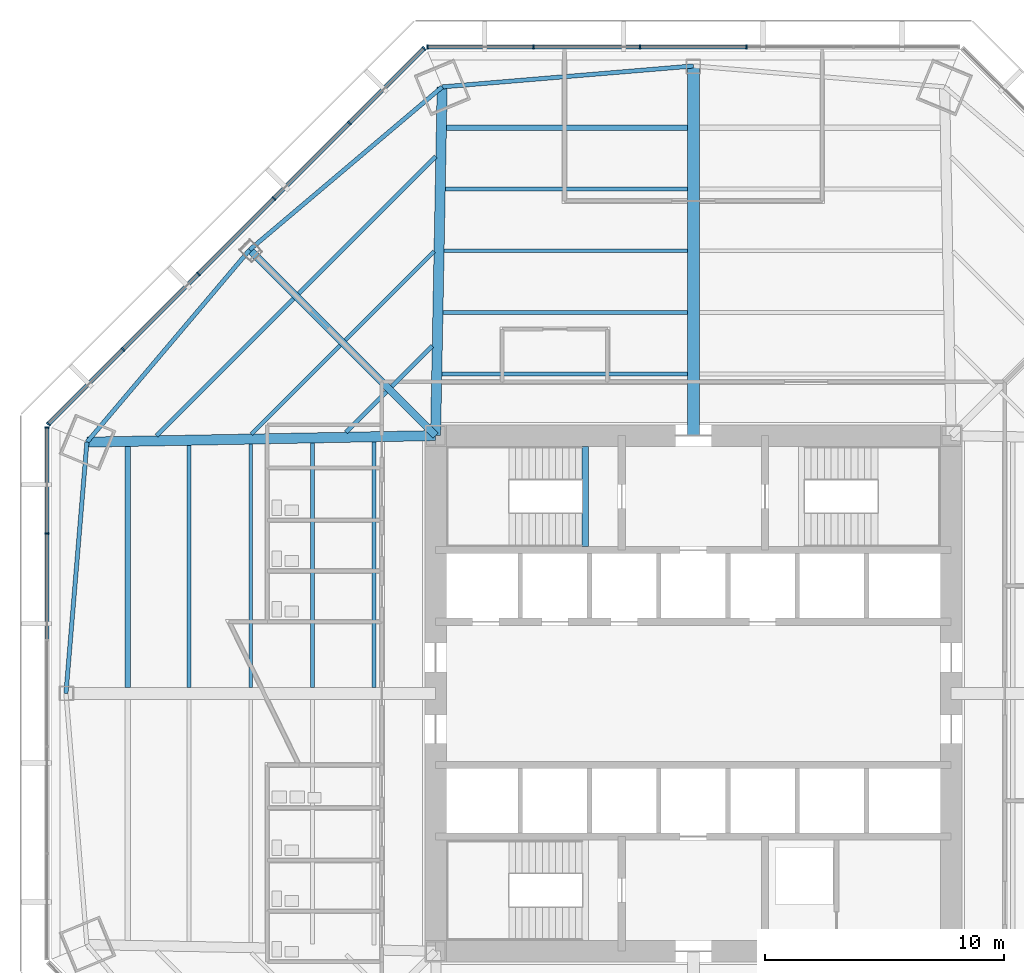
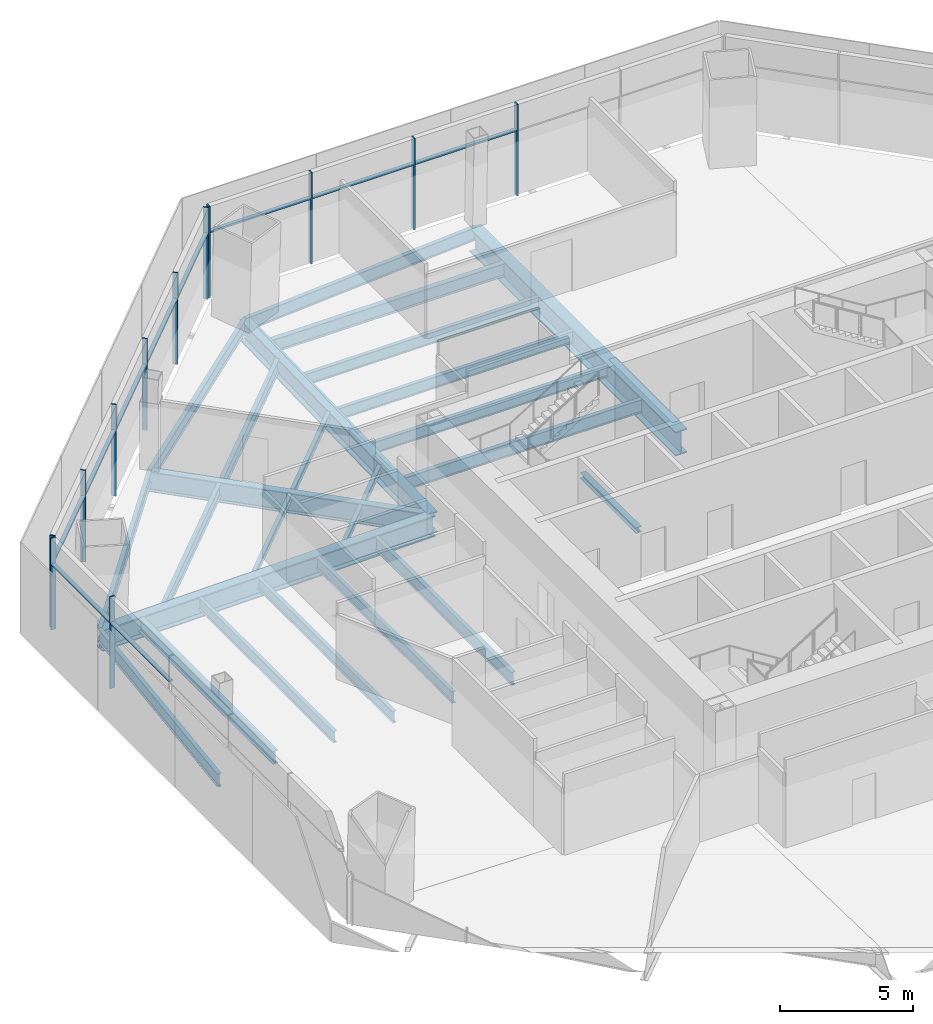
# One storey, part 5 of 14: 25 beams, 22 members, 3 elements without a shape of their own.
"""IFC4 building model written with IfcOpenShell, lengths in metres."""

from ifc_helpers import new_model, si_unit, direction, frame, origin, origin_2d, place, context, subcontext, project, spatial, rectangle, i_section, extrude, source, transform, mapped, material, material_profile, profile_set, type_object, type_shapes, element, aggregate, save


model = new_model("IFC4")

# Units and contexts
model_context = context("Model", 3, precision=1e-05, world=origin(), true_north=direction((0.0, 1.0)))
body_context = subcontext(model_context, "Body", "Model", "MODEL_VIEW")
ifc_project = project(units=[si_unit("LENGTHUNIT", "METRE"), si_unit("AREAUNIT", "SQUARE_METRE"), si_unit("VOLUMEUNIT", "CUBIC_METRE"), si_unit("PLANEANGLEUNIT", "RADIAN"), si_unit("MASSUNIT", "GRAM", prefix="KILO")], contexts=[model_context])

# Site, building, storey
site_placement = place(None, origin())
site = spatial("IfcSite", under=ifc_project, at=site_placement, CompositionType="ELEMENT")
building_placement = place(site_placement, origin())
building = spatial("IfcBuilding", under=site, at=building_placement, Name="Mashrafa Tower", CompositionType="ELEMENT")
storey_placement = place(building_placement, frame((0.0, 0.0, 33.0)))
storey = spatial("IfcBuildingStorey", under=building, at=storey_placement, Name="L06", CompositionType="ELEMENT", Elevation=33.0)

# Beams
ifc_material_1 = material(Name="Steel ASTM A572 Gr 50", Category="steel")
ifc_material_profile_1 = material_profile(ifc_material_1, i_section(OverallWidth=0.5, OverallDepth=1.10009765625, WebThickness=0.02490234375, FlangeThickness=0.050048828125, at=origin_2d()), Name="H1100X500X25X50")
ifc_profile_set_1 = profile_set([ifc_material_profile_1], Name="Steel ASTM A572 Gr 50")
beam_type_1 = type_object("IfcBeamType", Name="Beam H1100X500X25X50", PredefinedType="BEAM", material=ifc_profile_set_1)
beam_1_placement = place(storey_placement, frame((0.0, 10.800048828125, -0.715087890625), z_axis=(0.0, 1.0, 0.0), x_axis=(-1.0, 0.0, 0.0)))
element("IfcBeam", 1, at=beam_1_placement, inside=storey, type_object=beam_type_1, Name="Radial girder L06 073", PredefinedType="BEAM", context=body_context, shape_type="SweptSolid", body=[
    extrude(i_section(OverallWidth=0.5, OverallDepth=1.10009765625, WebThickness=0.02490234375, FlangeThickness=0.050048828125, at=origin_2d()), origin(), (0.0, 0.0, 1.0), 15.48583984375),
])
ifc_material_2 = material(Name="Steel ASTM A992", Category="steel")
ifc_material_profile_2 = material_profile(ifc_material_2, i_section(OverallWidth=0.164794921875, OverallDepth=0.309814453125, WebThickness=0.005859375, FlangeThickness=0.009765625, FilletRadius=0.007568359375, at=origin_2d()), Name="W12X26")
ifc_profile_set_2 = profile_set([ifc_material_profile_2], Name="Steel ASTM A992")
beam_type_2 = type_object("IfcBeamType", Name="Beam W12X26", PredefinedType="BEAM", material=ifc_profile_set_2)
beam_2_placement = place(storey_placement, frame((-18.5205078125, 10.8662109375, -0.31982421875), z_axis=(0.707083567294, 0.707129994317, 0.0), x_axis=(-0.707129994317, 0.707083567294, 0.0)))
element("IfcBeam", 2, at=beam_2_placement, inside=storey, type_object=beam_type_2, Name="Floor beam L06 006", PredefinedType="BEAM", context=body_context, shape_type="SweptSolid", body=[
    extrude(i_section(OverallWidth=0.164794921875, OverallDepth=0.309814453125, WebThickness=0.005859375, FlangeThickness=0.009765625, FilletRadius=0.007568359375, at=origin_2d()), origin(), (0.0, 0.0, 1.0), 5.258544921875),
])
beam_3_placement = place(storey_placement, frame((-14.55224609375, 10.94140625, -0.31982421875), z_axis=(0.707157654008, 0.707055904705, 0.0), x_axis=(-0.707055904705, 0.707157654008, 0.0)))
element("IfcBeam", 3, at=beam_3_placement, inside=storey, type_object=beam_type_2, Name="Floor beam L06 013", PredefinedType="BEAM", context=body_context, shape_type="SweptSolid", body=[
    extrude(i_section(OverallWidth=0.164794921875, OverallDepth=0.309814453125, WebThickness=0.005859375, FlangeThickness=0.009765625, FilletRadius=0.007568359375, at=origin_2d()), origin(), (0.0, 0.0, 1.0), 2.3994140625),
])
beam_4_placement = place(storey_placement, frame((-14.584716796875, 14.80224609375, -0.31982421875), z_axis=(0.707129994317, 0.707083567294, 0.0), x_axis=(-0.707083567294, 0.707129994317, 0.0)))
element("IfcBeam", 4, at=beam_4_placement, inside=storey, type_object=beam_type_2, Name="Floor beam L06 015", PredefinedType="BEAM", context=body_context, shape_type="SweptSolid", body=[
    extrude(i_section(OverallWidth=0.164794921875, OverallDepth=0.309814453125, WebThickness=0.005859375, FlangeThickness=0.009765625, FilletRadius=0.007568359375, at=origin_2d()), origin(), (0.0, 0.0, 1.0), 5.258544921875),
])
beam_5_placement = place(storey_placement, frame((-12.637939453125, 12.85546875, -0.31982421875), z_axis=(0.707055904705, 0.707157654008, 0.0), x_axis=(-0.707157654008, 0.707055904705, 0.0)))
element("IfcBeam", 5, at=beam_5_placement, inside=storey, type_object=beam_type_2, Name="Floor beam L06 019", PredefinedType="BEAM", context=body_context, shape_type="SweptSolid", body=[
    extrude(i_section(OverallWidth=0.164794921875, OverallDepth=0.309814453125, WebThickness=0.005859375, FlangeThickness=0.009765625, FilletRadius=0.007568359375, at=origin_2d()), origin(), (0.0, 0.0, 1.0), 2.3994140625),
])
ifc_material_3 = material(Name="Steel ASTM A992", Category="steel")
ifc_material_profile_3 = material_profile(ifc_material_3, i_section(OverallWidth=0.165771484375, OverallDepth=0.5283203125, WebThickness=0.009765625, FlangeThickness=0.013671875, FilletRadius=0.012939453125, at=origin_2d()), Name="W21X50")
ifc_profile_set_3 = profile_set([ifc_material_profile_3], Name="Steel ASTM A992")
beam_type_3 = type_object("IfcBeamType", Name="Beam W21X50", PredefinedType="BEAM", material=ifc_profile_set_3)
beam_6_placement = place(storey_placement, frame((-21.123779296875, 0.25, -0.42919921875), z_axis=(0.0, 1.0, 0.0), x_axis=(-1.0, 0.0, 0.0)))
element("IfcBeam", 6, at=beam_6_placement, inside=storey, type_object=beam_type_3, Name="Floor beam L06 005", PredefinedType="BEAM", context=body_context, shape_type="SweptSolid", body=[
    extrude(i_section(OverallWidth=0.165771484375, OverallDepth=0.5283203125, WebThickness=0.009765625, FlangeThickness=0.013671875, FilletRadius=0.012939453125, at=origin_2d()), origin(), (0.0, 0.0, 1.0), 10.14306640625),
])
beam_7_placement = place(storey_placement, frame((-18.54296875, 0.25, -0.42919921875), z_axis=(0.0, 1.0, 0.0), x_axis=(-1.0, 0.0, 0.0)))
element("IfcBeam", 7, at=beam_7_placement, inside=storey, type_object=beam_type_3, Name="Floor beam L06 008", PredefinedType="BEAM", context=body_context, shape_type="SweptSolid", body=[
    extrude(i_section(OverallWidth=0.165771484375, OverallDepth=0.5283203125, WebThickness=0.009765625, FlangeThickness=0.013671875, FilletRadius=0.012939453125, at=origin_2d()), origin(), (0.0, 0.0, 1.0), 10.191650390625),
])
for number, where, z_axis, x_axis, name in (
    (8, (-15.9619140625, 0.25, -0.42919921875), (0.0, 1.0, 0.0), (-1.0, 0.0, 0.0), "Floor beam L06 012"),
    (9, (-10.490478515625, 15.9619140625, -0.42919921875), (1.0, 0.0, 0.0), (0.0, 1.0, 0.0), "Floor beam L06 022"),
):
    element("IfcBeam", number, at=place(storey_placement, frame(where, z_axis=z_axis, x_axis=x_axis)), inside=storey, type_object=beam_type_3, Name=name, PredefinedType="BEAM", context=body_context, shape_type="SweptSolid", body=[
        extrude(i_section(OverallWidth=0.165771484375, OverallDepth=0.5283203125, WebThickness=0.009765625, FlangeThickness=0.013671875, FilletRadius=0.012939453125, at=origin_2d()), origin(), (0.0, 0.0, 1.0), 10.240478515625),
    ])
beam_8_placement = place(storey_placement, frame((-10.441650390625, 18.54296875, -0.42919921875), z_axis=(1.0, 0.0, 0.0), x_axis=(0.0, 1.0, 0.0)))
element("IfcBeam", 10, at=beam_8_placement, inside=storey, type_object=beam_type_3, Name="Floor beam L06 023", PredefinedType="BEAM", context=body_context, shape_type="SweptSolid", body=[
    extrude(i_section(OverallWidth=0.165771484375, OverallDepth=0.5283203125, WebThickness=0.009765625, FlangeThickness=0.013671875, FilletRadius=0.012939453125, at=origin_2d()), origin(), (0.0, 0.0, 1.0), 10.191650390625),
])
beam_9_placement = place(storey_placement, frame((-10.39306640625, 21.123779296875, -0.42919921875), z_axis=(1.0, 0.0, 0.0), x_axis=(0.0, 1.0, 0.0)))
element("IfcBeam", 11, at=beam_9_placement, inside=storey, type_object=beam_type_3, Name="Floor beam L06 025", PredefinedType="BEAM", context=body_context, shape_type="SweptSolid", body=[
    extrude(i_section(OverallWidth=0.165771484375, OverallDepth=0.5283203125, WebThickness=0.009765625, FlangeThickness=0.013671875, FilletRadius=0.012939453125, at=origin_2d()), origin(), (0.0, 0.0, 1.0), 10.14306640625),
])
ifc_material_4 = material(Name="Steel ASTM A992", Category="steel")
ifc_material_profile_4 = material_profile(ifc_material_4, i_section(OverallWidth=0.177978515625, OverallDepth=0.599365234375, WebThickness=0.010009765625, FlangeThickness=0.012939453125, FilletRadius=0.012939453125, at=origin_2d()), Name="W24X55")
ifc_profile_set_4 = profile_set([ifc_material_profile_4], Name="Steel ASTM A992")
beam_type_4 = type_object("IfcBeamType", Name="Beam W24X55", PredefinedType="BEAM", material=ifc_profile_set_4)
for number, where, z_axis, x_axis, name in (
    (12, (-22.489013671875, 10.79150390625, -0.464599609375), (0.707121818493, 0.70709174356, 0.0), (-0.70709174356, 0.707121818493, 0.0), "Floor beam L06 003"),
    (13, (-16.531494140625, 16.748779296875, -0.464599609375), (0.70709174356, 0.707121818493, 0.0), (-0.707121818493, 0.70709174356, 0.0), "Floor beam L06 010"),
):
    element("IfcBeam", number, at=place(storey_placement, frame(where, z_axis=z_axis, x_axis=x_axis)), inside=storey, type_object=beam_type_4, Name=name, PredefinedType="BEAM", context=body_context, shape_type="SweptSolid", body=[
        extrude(i_section(OverallWidth=0.177978515625, OverallDepth=0.599365234375, WebThickness=0.010009765625, FlangeThickness=0.012939453125, FilletRadius=0.012939453125, at=origin_2d()), origin(), (0.0, 0.0, 1.0), 8.11767578125),
    ])
for number, where, z_axis, x_axis, name in (
    (14, (-13.381103515625, 0.25, -0.464599609375), (0.0, 1.0, 0.0), (-1.0, 0.0, 0.0), "Floor beam L06 017"),
    (15, (-10.539306640625, 13.381103515625, -0.464599609375), (1.0, 0.0, 0.0), (0.0, 1.0, 0.0), "Floor beam L06 020"),
):
    element("IfcBeam", number, at=place(storey_placement, frame(where, z_axis=z_axis, x_axis=x_axis)), inside=storey, type_object=beam_type_4, Name=name, PredefinedType="BEAM", context=body_context, shape_type="SweptSolid", body=[
        extrude(i_section(OverallWidth=0.177978515625, OverallDepth=0.599365234375, WebThickness=0.010009765625, FlangeThickness=0.012939453125, FilletRadius=0.012939453125, at=origin_2d()), origin(), (0.0, 0.0, 1.0), 10.289306640625),
    ])
for number, where, z_axis, x_axis, name in (
    (16, (-25.40771484375, 10.524169921875, -0.464599609375), (-0.083154531343, -0.996536664613, 0.0), (0.996536664613, -0.083154531343, 0.0), "Spandrel beam L06 083"),
    (17, (-18.5869140625, 18.5869140625, -0.464599609375), (-0.645858296916, -0.763457307454, 0.0), (0.763457307454, -0.645858296916, 0.0), "Spandrel beam L06 085"),
    (18, (-10.524169921875, 25.40771484375, -0.464599609375), (-0.763457307454, -0.645858296916, 0.0), (0.645858296916, -0.763457307454, 0.0), "Spandrel beam L06 087"),
    (19, (0.0, 26.285888671875, -0.464599609375), (-0.996536664613, -0.083154531343, 0.0), (0.083154531343, -0.996536664613, 0.0), "Spandrel beam L06 089"),
):
    element("IfcBeam", number, at=place(storey_placement, frame(where, z_axis=z_axis, x_axis=x_axis)), inside=storey, type_object=beam_type_4, Name=name, PredefinedType="BEAM", context=body_context, shape_type="SweptSolid", body=[
        extrude(i_section(OverallWidth=0.177978515625, OverallDepth=0.599365234375, WebThickness=0.010009765625, FlangeThickness=0.012939453125, FilletRadius=0.012939453125, at=origin_2d()), origin(), (0.0, 0.0, 1.0), 10.560791015625),
    ])
ifc_material_5 = material(Name="Steel ASTM A992", Category="steel")
ifc_material_profile_5 = material_profile(ifc_material_5, i_section(OverallWidth=0.227783203125, OverallDepth=0.60205078125, WebThickness=0.010498046875, FlangeThickness=0.014892578125, FilletRadius=0.012939453125, at=origin_2d()), Name="W24X68")
ifc_profile_set_5 = profile_set([ifc_material_profile_5], Name="Steel ASTM A992")
beam_type_5 = type_object("IfcBeamType", Name="Beam W24X68", PredefinedType="BEAM", material=ifc_profile_set_5)
for number, where, z_axis, x_axis, name in (
    (20, (-23.704833984375, 0.25, -0.466064453125), (0.0, 1.0, 0.0), (-1.0, 0.0, 0.0), "Floor beam L06 002"),
    (21, (-10.34423828125, 23.704833984375, -0.466064453125), (1.0, 0.0, 0.0), (0.0, 1.0, 0.0), "Floor beam L06 027"),
):
    element("IfcBeam", number, at=place(storey_placement, frame(where, z_axis=z_axis, x_axis=x_axis)), inside=storey, type_object=beam_type_5, Name=name, PredefinedType="BEAM", context=body_context, shape_type="SweptSolid", body=[
        extrude(i_section(OverallWidth=0.227783203125, OverallDepth=0.60205078125, WebThickness=0.010498046875, FlangeThickness=0.014892578125, FilletRadius=0.012939453125, at=origin_2d()), origin(), (0.0, 0.0, 1.0), 10.09423828125),
    ])
ifc_material_6 = material(Name="Steel ASTM A992", Category="steel")
ifc_material_profile_6 = material_profile(ifc_material_6, i_section(OverallWidth=0.307373046875, OverallDepth=0.927001953125, WebThickness=0.01953125, FlangeThickness=0.031982421875, FilletRadius=0.01904296875, at=origin_2d()), Name="W36X194")
ifc_profile_set_6 = profile_set([ifc_material_profile_6], Name="Steel ASTM A992")
beam_type_6 = type_object("IfcBeamType", Name="Beam W36X194", PredefinedType="BEAM", material=ifc_profile_set_6)
beam_10_placement = place(storey_placement, frame((-10.800048828125, 10.800048828125, -0.628662109375), z_axis=(-0.707106781187, 0.707106781187, 0.0), x_axis=(-0.707106781187, -0.707106781187, 0.0)))
element("IfcBeam", 22, at=beam_10_placement, inside=storey, type_object=beam_type_6, Name="Radial girder L06 070", PredefinedType="BEAM", context=body_context, shape_type="SweptSolid", body=[
    extrude(i_section(OverallWidth=0.307373046875, OverallDepth=0.927001953125, WebThickness=0.01953125, FlangeThickness=0.031982421875, FilletRadius=0.01904296875, at=origin_2d()), origin(), (0.0, 0.0, 1.0), 11.01220703125),
])
ifc_material_7 = material(Name="Steel ASTM A992", Category="steel")
ifc_material_profile_7 = material_profile(ifc_material_7, i_section(OverallWidth=0.424072265625, OverallDepth=0.960205078125, WebThickness=0.028564453125, FlangeThickness=0.051025390625, FilletRadius=0.02001953125, at=origin_2d()), Name="W36X361")
ifc_profile_set_7 = profile_set([ifc_material_profile_7], Name="Steel ASTM A992")
beam_type_7 = type_object("IfcBeamType", Name="Beam W36X361", PredefinedType="BEAM", material=ifc_profile_set_7)
for number, where, z_axis, x_axis, name in (
    (23, (-10.800048828125, 10.800048828125, -0.64501953125), (-0.999821709101, -0.018882531902, 0.0), (0.018882531902, -0.999821709101, 0.0), "Radial girder L06 069"),
    (24, (-10.800048828125, 10.800048828125, -0.64501953125), (0.018882531902, 0.999821709101, 0.0), (-0.999821709101, 0.018882531902, 0.0), "Radial girder L06 071"),
):
    element("IfcBeam", number, at=place(storey_placement, frame(where, z_axis=z_axis, x_axis=x_axis)), inside=storey, type_object=beam_type_7, Name=name, PredefinedType="BEAM", context=body_context, shape_type="SweptSolid", body=[
        extrude(i_section(OverallWidth=0.424072265625, OverallDepth=0.960205078125, WebThickness=0.028564453125, FlangeThickness=0.051025390625, FilletRadius=0.02001953125, at=origin_2d()), origin(), (0.0, 0.0, 1.0), 14.6103515625),
    ])
ifc_material_8 = material(Name="Steel ASTM A992", Category="steel")
ifc_material_profile_8 = material_profile(ifc_material_8, i_section(OverallWidth=0.25390625, OverallDepth=0.25390625, WebThickness=0.008544921875, FlangeThickness=0.01416015625, FilletRadius=0.010009765625, at=origin_2d()), Name="W10X49")
ifc_profile_set_8 = profile_set([ifc_material_profile_8], Name="Steel ASTM A992")
beam_type_8 = type_object("IfcBeamType", Name="Hoistway beam W10X49", PredefinedType="BEAM", material=ifc_profile_set_8)
beam_11_placement = place(storey_placement, frame((-4.530029296875, 6.14990234375, -0.326904296875), z_axis=(0.0, 1.0, 0.0), x_axis=(-1.0, 0.0, 0.0)))
element("IfcBeam", 25, at=beam_11_placement, inside=storey, type_object=beam_type_8, Name="Stair S1 landing beam L06", PredefinedType="BEAM", context=body_context, shape_type="SweptSolid", body=[
    extrude(i_section(OverallWidth=0.25390625, OverallDepth=0.25390625, WebThickness=0.008544921875, FlangeThickness=0.01416015625, FilletRadius=0.010009765625, at=origin_2d()), origin(), (0.0, 0.0, 1.0), 4.2001953125),
])

# Curtain wall, members
ifc_material_9 = material(Name="Unitised aluminium curtain wall", Category="aluminium")
curtain_wall_type = type_object("IfcCurtainWallType", Name="Office curtain wall, zone 1 CW-A 200 deep", PredefinedType="NOTDEFINED", material=ifc_material_9)
curtain_wall_1_placement = place(storey_placement, origin())
curtain_wall_1 = element("IfcCurtainWall", 26, at=curtain_wall_1_placement, inside=storey, type_object=curtain_wall_type, Name="Office curtain wall, zone 1 L06 north", PredefinedType="NOTDEFINED")
ifc_material_10 = material(Name="Extruded aluminium mullion", Category="aluminium")
ifc_material_profile_9 = material_profile(ifc_material_10, rectangle(XDim=0.199951171875, YDim=0.06494140625, at=origin_2d()), Name="Mullion 65x200")
ifc_profile_set_9 = profile_set([ifc_material_profile_9], Name="Extruded aluminium mullion")
member_type_1 = type_object("IfcMemberType", Name="Mullion CW-A 65 x 200", PredefinedType="MULLION", material=ifc_profile_set_9)
shared_shape_1 = source(origin(), body_context, "Body", "SweptSolid", [
    extrude(rectangle(XDim=0.199951171875, YDim=0.06494140625, at=origin_2d()), origin(), (0.0, 0.0, 1.0), 4.199951171875),
])
type_shapes(member_type_1, [shared_shape_1])
member_1_placement = place(storey_placement, frame((2.233154296875, 27.081298828125, 0.0), z_axis=(0.0, 0.0, 1.0), x_axis=(0.0, -1.0, 0.0)))
member_1 = element("IfcMember", 27, at=member_1_placement, type_object=member_type_1, Name="CW-A mullion 3", PredefinedType="MULLION", context=body_context, shape_type="MappedRepresentation", body=[
    mapped(shared_shape_1, transform((0.0, 0.0, 0.0))),
])
member_2_placement = place(storey_placement, frame((-2.233154296875, 27.081298828125, 0.0), z_axis=(0.0, 0.0, 1.0), x_axis=(0.0, -1.0, 0.0)))
member_2 = element("IfcMember", 28, at=member_2_placement, type_object=member_type_1, Name="CW-A mullion 4", PredefinedType="MULLION", context=body_context, shape_type="MappedRepresentation", body=[
    mapped(shared_shape_1, transform((0.0, 0.0, 0.0))),
])
member_3_placement = place(storey_placement, frame((-6.69970703125, 27.081298828125, 0.0), z_axis=(0.0, 0.0, 1.0), x_axis=(0.0, -1.0, 0.0)))
member_3 = element("IfcMember", 29, at=member_3_placement, type_object=member_type_1, Name="CW-A mullion 5", PredefinedType="MULLION", context=body_context, shape_type="MappedRepresentation", body=[
    mapped(shared_shape_1, transform((0.0, 0.0, 0.0))),
])
member_4_placement = place(storey_placement, frame((-11.133544921875, 27.081298828125, 0.0), z_axis=(0.0, 0.0, 1.0), x_axis=(0.0, -1.0, 0.0)))
member_4 = element("IfcMember", 30, at=member_4_placement, type_object=member_type_1, Name="CW-A mullion 6", PredefinedType="MULLION", context=body_context, shape_type="MappedRepresentation", body=[
    mapped(shared_shape_1, transform((0.0, 0.0, 0.0))),
])

curtain_wall_2_placement = place(storey_placement, origin())
curtain_wall_2 = element("IfcCurtainWall", 31, at=curtain_wall_2_placement, inside=storey, type_object=curtain_wall_type, Name="Office curtain wall, zone 1 L06 north-west", PredefinedType="NOTDEFINED")
member_5_placement = place(storey_placement, frame((-11.27685546875, 27.021728515625, 0.0), z_axis=(0.0, 0.0, 1.0), x_axis=(0.707106781187, -0.707106781187, 0.0)))
member_5 = element("IfcMember", 32, at=member_5_placement, type_object=member_type_1, Name="CW-A mullion 1", PredefinedType="MULLION", context=body_context, shape_type="MappedRepresentation", body=[
    mapped(shared_shape_1, transform((0.0, 0.0, 0.0))),
])
member_6_placement = place(storey_placement, frame((-14.411865234375, 23.88671875, 0.0), z_axis=(0.0, 0.0, 1.0), x_axis=(0.707106781187, -0.707106781187, 0.0)))
member_6 = element("IfcMember", 33, at=member_6_placement, type_object=member_type_1, Name="CW-A mullion 2", PredefinedType="MULLION", context=body_context, shape_type="MappedRepresentation", body=[
    mapped(shared_shape_1, transform((0.0, 0.0, 0.0))),
])
member_7_placement = place(storey_placement, frame((-17.570068359375, 20.728515625, 0.0), z_axis=(0.0, 0.0, 1.0), x_axis=(0.707106781187, -0.707106781187, 0.0)))
member_7 = element("IfcMember", 34, at=member_7_placement, type_object=member_type_1, Name="CW-A mullion 3", PredefinedType="MULLION", context=body_context, shape_type="MappedRepresentation", body=[
    mapped(shared_shape_1, transform((0.0, 0.0, 0.0))),
])
member_8_placement = place(storey_placement, frame((-20.728515625, 17.570068359375, 0.0), z_axis=(0.0, 0.0, 1.0), x_axis=(0.707106781187, -0.707106781187, 0.0)))
member_8 = element("IfcMember", 35, at=member_8_placement, type_object=member_type_1, Name="CW-A mullion 4", PredefinedType="MULLION", context=body_context, shape_type="MappedRepresentation", body=[
    mapped(shared_shape_1, transform((0.0, 0.0, 0.0))),
])
member_9_placement = place(storey_placement, frame((-23.88671875, 14.411865234375, 0.0), z_axis=(0.0, 0.0, 1.0), x_axis=(0.707106781187, -0.707106781187, 0.0)))
member_9 = element("IfcMember", 36, at=member_9_placement, type_object=member_type_1, Name="CW-A mullion 5", PredefinedType="MULLION", context=body_context, shape_type="MappedRepresentation", body=[
    mapped(shared_shape_1, transform((0.0, 0.0, 0.0))),
])
member_10_placement = place(storey_placement, frame((-27.021728515625, 11.27685546875, 0.0), z_axis=(0.0, 0.0, 1.0), x_axis=(0.707106781187, -0.707106781187, 0.0)))
member_10 = element("IfcMember", 37, at=member_10_placement, type_object=member_type_1, Name="CW-A mullion 6", PredefinedType="MULLION", context=body_context, shape_type="MappedRepresentation", body=[
    mapped(shared_shape_1, transform((0.0, 0.0, 0.0))),
])

curtain_wall_3_placement = place(storey_placement, origin())
curtain_wall_3 = element("IfcCurtainWall", 38, at=curtain_wall_3_placement, inside=storey, type_object=curtain_wall_type, Name="Office curtain wall, zone 1 L06 west", PredefinedType="NOTDEFINED")
member_11_placement = place(storey_placement, frame((-27.081298828125, 11.133544921875, 0.0), z_axis=(0.0, 0.0, 1.0), x_axis=(1.0, 0.0, 0.0)))
member_11 = element("IfcMember", 39, at=member_11_placement, type_object=member_type_1, Name="CW-A mullion 1", PredefinedType="MULLION", context=body_context, shape_type="MappedRepresentation", body=[
    mapped(shared_shape_1, transform((0.0, 0.0, 0.0))),
])
member_12_placement = place(storey_placement, frame((-27.081298828125, 6.69970703125, 0.0), z_axis=(0.0, 0.0, 1.0), x_axis=(1.0, 0.0, 0.0)))
member_12 = element("IfcMember", 40, at=member_12_placement, type_object=member_type_1, Name="CW-A mullion 2", PredefinedType="MULLION", context=body_context, shape_type="MappedRepresentation", body=[
    mapped(shared_shape_1, transform((0.0, 0.0, 0.0))),
])

# Member
ifc_material_11 = material(Name="Extruded aluminium transom", Category="aluminium")
ifc_material_profile_10 = material_profile(ifc_material_11, rectangle(XDim=0.159912109375, YDim=0.080078125, at=origin_2d()), Name="Transom 80x160")
ifc_profile_set_10 = profile_set([ifc_material_profile_10], Name="Extruded aluminium transom")
member_type_2 = type_object("IfcMemberType", Name="Transom CW-A 80 x 160", PredefinedType="MULLION", material=ifc_profile_set_10)
shared_shape_2 = source(origin(), body_context, "Body", "SweptSolid", [
    extrude(rectangle(XDim=0.159912109375, YDim=0.080078125, at=origin_2d()), origin(), (0.0, 0.0, 1.0), 4.368896484375),
])
member_13_placement = place(storey_placement, frame((-6.732177734375, 27.081298828125, 3.0), z_axis=(-1.0, 0.0, 0.0), x_axis=(0.0, -1.0, 0.0)))
member_13 = element("IfcMember", 41, at=member_13_placement, type_object=member_type_2, Name="CW-A transom 5", PredefinedType="MULLION", context=body_context, shape_type="MappedRepresentation", body=[
    mapped(shared_shape_2, transform((0.0, 0.0, 0.0))),
])

member_14_placement = place(storey_placement, frame((-27.081298828125, 11.10107421875, 3.0), z_axis=(0.0, -1.0, 0.0), x_axis=(1.0, 0.0, 0.0)))
member_14 = element("IfcMember", 42, at=member_14_placement, type_object=member_type_2, Name="CW-A transom 1", PredefinedType="MULLION", context=body_context, shape_type="MappedRepresentation", body=[
    mapped(shared_shape_2, transform((0.0, 0.0, 0.0))),
])

shared_shape_3 = source(origin(), body_context, "Body", "SweptSolid", [
    extrude(rectangle(XDim=0.159912109375, YDim=0.080078125, at=origin_2d()), origin(), (0.0, 0.0, 1.0), 4.4013671875),
])
member_15_placement = place(storey_placement, frame((2.20068359375, 27.081298828125, 3.0), z_axis=(-1.0, 0.0, 0.0), x_axis=(0.0, -1.0, 0.0)))
member_15 = element("IfcMember", 43, at=member_15_placement, type_object=member_type_2, Name="CW-A transom 3", PredefinedType="MULLION", context=body_context, shape_type="MappedRepresentation", body=[
    mapped(shared_shape_3, transform((0.0, 0.0, 0.0))),
])

member_16_placement = place(storey_placement, frame((-2.265625, 27.081298828125, 3.0), z_axis=(-1.0, 0.0, 0.0), x_axis=(0.0, -1.0, 0.0)))
member_16 = element("IfcMember", 44, at=member_16_placement, type_object=member_type_2, Name="CW-A transom 4", PredefinedType="MULLION", context=body_context, shape_type="MappedRepresentation", body=[
    mapped(shared_shape_3, transform((0.0, 0.0, 0.0))),
])

aggregate(curtain_wall_1, [member_1, member_2, member_3, member_4, member_15, member_16, member_13])

member_17_placement = place(storey_placement, frame((-27.081298828125, 6.6669921875, 3.0), z_axis=(0.0, -1.0, 0.0), x_axis=(1.0, 0.0, 0.0)))
member_17 = element("IfcMember", 45, at=member_17_placement, type_object=member_type_2, Name="CW-A transom 2", PredefinedType="MULLION", context=body_context, shape_type="MappedRepresentation", body=[
    mapped(shared_shape_3, transform((0.0, 0.0, 0.0))),
])

aggregate(curtain_wall_3, [member_11, member_12, member_14, member_17])

shared_shape_4 = source(origin(), body_context, "Body", "SweptSolid", [
    extrude(rectangle(XDim=0.159912109375, YDim=0.080078125, at=origin_2d()), origin(), (0.0, 0.0, 1.0), 4.36865234375),
])
member_18_placement = place(storey_placement, frame((-11.2998046875, 26.998779296875, 3.0), z_axis=(-0.707106781187, -0.707106781187, 0.0), x_axis=(0.707106781187, -0.707106781187, 0.0)))
member_18 = element("IfcMember", 46, at=member_18_placement, type_object=member_type_2, Name="CW-A transom 1", PredefinedType="MULLION", context=body_context, shape_type="MappedRepresentation", body=[
    mapped(shared_shape_4, transform((0.0, 0.0, 0.0))),
])

member_19_placement = place(storey_placement, frame((-23.90966796875, 14.388916015625, 3.0), z_axis=(-0.707106781187, -0.707106781187, 0.0), x_axis=(0.707106781187, -0.707106781187, 0.0)))
member_19 = element("IfcMember", 47, at=member_19_placement, type_object=member_type_2, Name="CW-A transom 5", PredefinedType="MULLION", context=body_context, shape_type="MappedRepresentation", body=[
    mapped(shared_shape_4, transform((0.0, 0.0, 0.0))),
])

shared_shape_5 = source(origin(), body_context, "Body", "SweptSolid", [
    extrude(rectangle(XDim=0.159912109375, YDim=0.080078125, at=origin_2d()), origin(), (0.0, 0.0, 1.0), 4.401123046875),
])
type_shapes(member_type_2, [shared_shape_2, shared_shape_3, shared_shape_4, shared_shape_5])
member_20_placement = place(storey_placement, frame((-14.43505859375, 23.863525390625, 3.0), z_axis=(-0.707106781187, -0.707106781187, 0.0), x_axis=(0.707106781187, -0.707106781187, 0.0)))
member_20 = element("IfcMember", 48, at=member_20_placement, type_object=member_type_2, Name="CW-A transom 2", PredefinedType="MULLION", context=body_context, shape_type="MappedRepresentation", body=[
    mapped(shared_shape_5, transform((0.0, 0.0, 0.0))),
])

member_21_placement = place(storey_placement, frame((-17.59326171875, 20.705322265625, 3.0), z_axis=(-0.707106781187, -0.707106781187, 0.0), x_axis=(0.707106781187, -0.707106781187, 0.0)))
member_21 = element("IfcMember", 49, at=member_21_placement, type_object=member_type_2, Name="CW-A transom 3", PredefinedType="MULLION", context=body_context, shape_type="MappedRepresentation", body=[
    mapped(shared_shape_5, transform((0.0, 0.0, 0.0))),
])

member_22_placement = place(storey_placement, frame((-20.75146484375, 17.547119140625, 3.0), z_axis=(-0.707106781187, -0.707106781187, 0.0), x_axis=(0.707106781187, -0.707106781187, 0.0)))
member_22 = element("IfcMember", 50, at=member_22_placement, type_object=member_type_2, Name="CW-A transom 4", PredefinedType="MULLION", context=body_context, shape_type="MappedRepresentation", body=[
    mapped(shared_shape_5, transform((0.0, 0.0, 0.0))),
])

aggregate(curtain_wall_2, [member_5, member_6, member_7, member_8, member_9, member_10, member_18, member_20, member_21, member_22, member_19])

save(model, "model.ifc")
